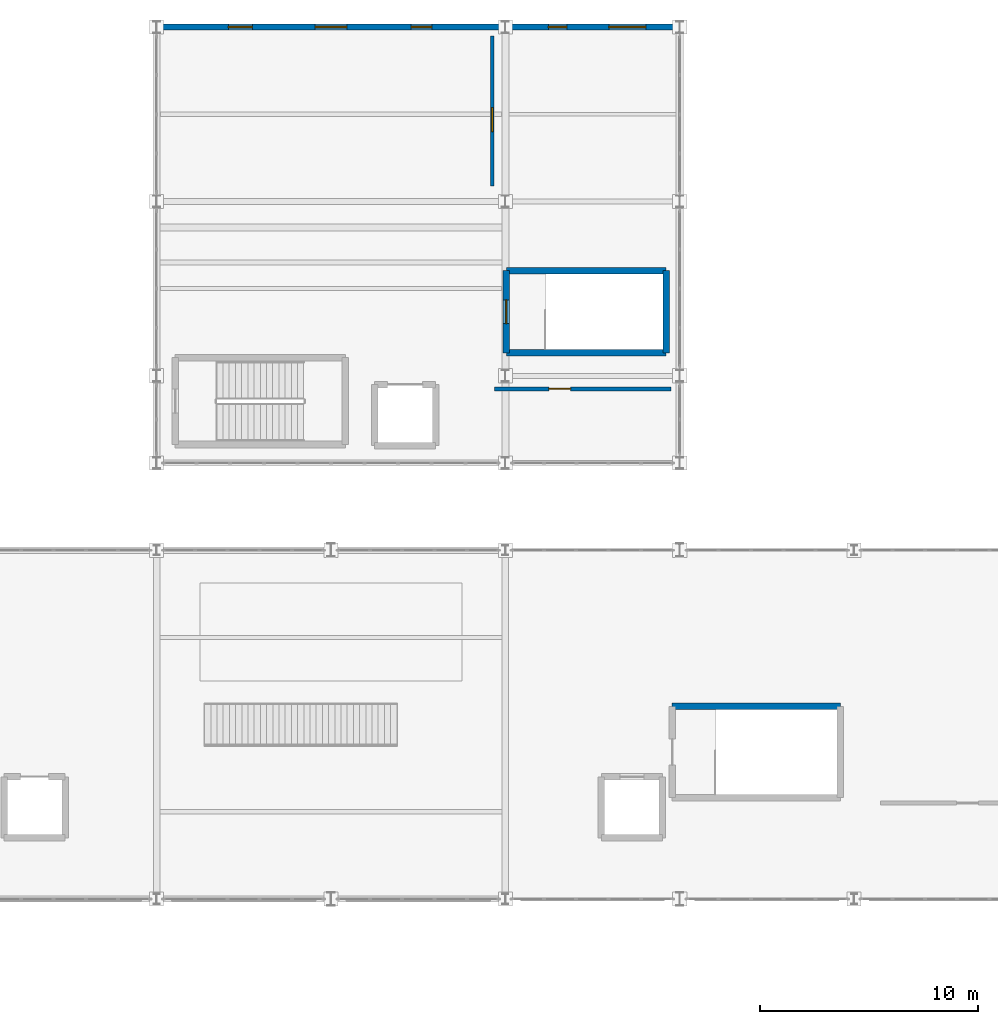
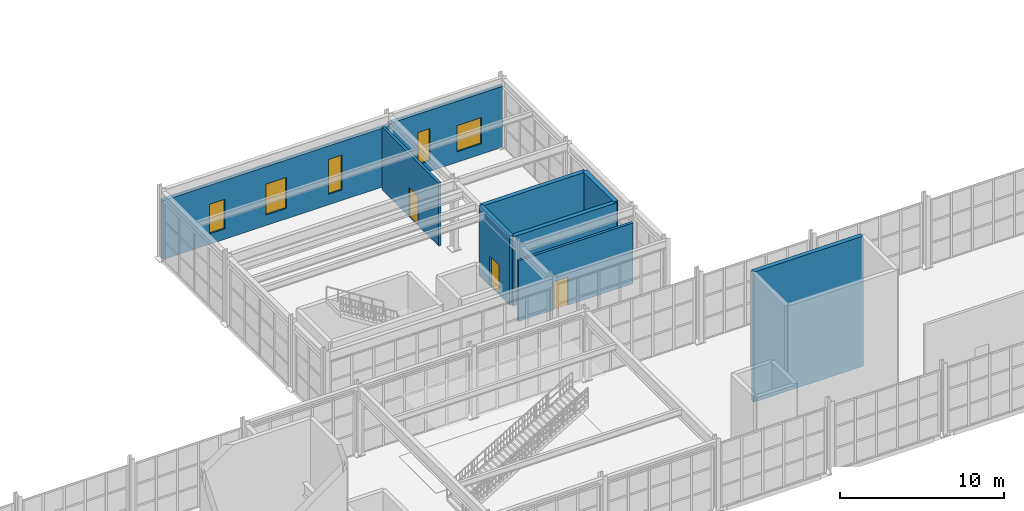
# One storey, part 69 of 82: 9 walls, 5 windows, 3 doors, 8 openings.
"""IFC4 building model written with IfcOpenShell, lengths in metres."""

from ifc_helpers import new_model, si_unit, direction, frame, frame_2d, origin, place, context, subcontext, project, spatial, rectangle, extrude, material, layer, layer_set, type_object, element, fill, save


model = new_model("IFC4")

# Units and contexts
model_context = context("Model", 3, precision=1e-05, world=origin(), true_north=direction((0.0, 1.0)))
body_context = subcontext(model_context, "Body", "Model", "MODEL_VIEW")
ifc_project = project(units=[si_unit("LENGTHUNIT", "METRE"), si_unit("AREAUNIT", "SQUARE_METRE"), si_unit("VOLUMEUNIT", "CUBIC_METRE"), si_unit("PLANEANGLEUNIT", "RADIAN"), si_unit("MASSUNIT", "GRAM", prefix="KILO")], contexts=[model_context])

# Site, building, storey
site_placement = place(None, origin())
site = spatial("IfcSite", under=ifc_project, at=site_placement, CompositionType="ELEMENT")
building_placement = place(site_placement, origin())
building = spatial("IfcBuilding", under=site, at=building_placement, Name="Serraluz Foothill Cableway Terminal", CompositionType="ELEMENT")
storey_placement = place(building_placement, frame((0.0, 0.0, 9.60009765625)))
storey = spatial("IfcBuildingStorey", under=building, at=storey_placement, Name="L02", CompositionType="ELEMENT", Elevation=9.60009765625)

# Wall, openings, windows
ifc_material_1 = material(Name="Fired clay masonry brick (f'm 12 MPa)", Category="masonry")
ifc_layer_1 = layer(ifc_material_1, 0.280029296875, Name="Fired clay masonry brick (f'm 12 MPa)", Category="masonry")
ifc_layer_set_1 = layer_set([ifc_layer_1], Name="Fired clay masonry brick (f'm 12 MPa)")
wall_type_1 = type_object("IfcWallType", Name="TYP-WL-EXT-280", PredefinedType="STANDARD", material=ifc_layer_set_1)
wall_1_placement = place(storey_placement, frame((80.006103515625, 96.0, 0.0), z_axis=(0.0, 0.0, 1.0), x_axis=(1.0, 0.0, 0.0)))
wall_1 = element("IfcWall", 1, at=wall_1_placement, inside=storey, type_object=wall_type_1, Name="Exterior Masonry Wall EW-V4N-L02-1", PredefinedType="STANDARD", context=body_context, shape_type="SweptSolid", body=[
    extrude(rectangle(XDim=15.98779296875, YDim=0.280029296875, at=frame_2d((7.993896484375, 0.0))), origin(), (0.0, 0.0, 1.0), 4.389892578125),
])
opening_1_placement = place(wall_1_placement, frame((3.287109375, 0.0, 0.780029296875)))
opening_1 = element("IfcOpeningElement", 2, at=opening_1_placement, cuts=wall_1, Name="Opening W-04", PredefinedType="OPENING", context=body_context, shape_type="SweptSolid", body=[
    extrude(rectangle(XDim=1.10009765625, YDim=2.199951171875, at=frame_2d((0.550048828125, 1.10009765625))), frame((0.0, 0.14990234375, 0.0), z_axis=(0.0, -1.0, 0.0), x_axis=(1.0, 0.0, 0.0)), (0.0, 0.0, 1.0), 0.300048828125),
])
opening_2_placement = place(wall_1_placement, frame((7.26904296875, 0.0, 0.780029296875)))
opening_2 = element("IfcOpeningElement", 3, at=opening_2_placement, cuts=wall_1, Name="Opening W-26", PredefinedType="OPENING", context=body_context, shape_type="SweptSolid", body=[
    extrude(rectangle(XDim=1.449951171875, YDim=2.300048828125, at=frame_2d((0.72509765625, 1.14990234375))), frame((0.0, 0.14990234375, 0.0), z_axis=(0.0, -1.0, 0.0), x_axis=(1.0, 0.0, 0.0)), (0.0, 0.0, 1.0), 0.300048828125),
])
opening_3_placement = place(wall_1_placement, frame((11.67578125, 0.0, 0.780029296875)))
opening_3 = element("IfcOpeningElement", 4, at=opening_3_placement, cuts=wall_1, Name="Opening W-03", PredefinedType="OPENING", context=body_context, shape_type="SweptSolid", body=[
    extrude(rectangle(XDim=0.949951171875, YDim=2.60009765625, at=frame_2d((0.47509765625, 1.300048828125))), frame((0.0, 0.14990234375, 0.0), z_axis=(0.0, -1.0, 0.0), x_axis=(1.0, 0.0, 0.0)), (0.0, 0.0, 1.0), 0.300048828125),
])
ifc_material_2 = material(Name="Laminated low-E safety glass", Category="glass")
window_type_1 = type_object("IfcWindowType", Name="TYP-WN-095X260", PartitioningType="SINGLE_PANEL", PredefinedType="WINDOW", material=ifc_material_2)
window_1_placement = place(opening_3_placement, origin())
window_1 = element("IfcWindow", 5, at=window_1_placement, inside=storey, type_object=window_type_1, Name="Exterior Window EW-V4N-L02-1-WN3", OverallHeight=2.60009765625, OverallWidth=0.949951171875, PartitioningType="SINGLE_PANEL", PredefinedType="WINDOW", context=body_context, shape_type="SweptSolid", body=[
    extrude(rectangle(XDim=0.949951171875, YDim=2.60009765625, at=frame_2d((0.47509765625, 1.300048828125))), frame((0.0, 0.030029296875, 0.0), z_axis=(0.0, -1.0, 0.0), x_axis=(1.0, 0.0, 0.0)), (0.0, 0.0, 1.0), 0.06005859375),
])
fill(opening_3, window_1)
window_type_2 = type_object("IfcWindowType", Name="TYP-WN-110X220", PartitioningType="SINGLE_PANEL", PredefinedType="WINDOW", material=ifc_material_2)
window_2_placement = place(opening_1_placement, origin())
window_2 = element("IfcWindow", 6, at=window_2_placement, inside=storey, type_object=window_type_2, Name="Exterior Window EW-V4N-L02-1-WN1", OverallHeight=2.199951171875, OverallWidth=1.10009765625, PartitioningType="SINGLE_PANEL", PredefinedType="WINDOW", context=body_context, shape_type="SweptSolid", body=[
    extrude(rectangle(XDim=1.10009765625, YDim=2.199951171875, at=frame_2d((0.550048828125, 1.10009765625))), frame((0.0, 0.030029296875, 0.0), z_axis=(0.0, -1.0, 0.0), x_axis=(1.0, 0.0, 0.0)), (0.0, 0.0, 1.0), 0.06005859375),
])
fill(opening_1, window_2)
window_type_3 = type_object("IfcWindowType", Name="TYP-WN-145X230", PartitioningType="DOUBLE_PANEL_VERTICAL", PredefinedType="WINDOW", material=ifc_material_2)
window_3_placement = place(opening_2_placement, origin())
window_3 = element("IfcWindow", 7, at=window_3_placement, inside=storey, type_object=window_type_3, Name="Exterior Window EW-V4N-L02-1-WN2", OverallHeight=2.300048828125, OverallWidth=1.449951171875, PartitioningType="SINGLE_PANEL", PredefinedType="WINDOW", context=body_context, shape_type="SweptSolid", body=[
    extrude(rectangle(XDim=1.449951171875, YDim=2.300048828125, at=frame_2d((0.72509765625, 1.14990234375))), frame((0.0, 0.030029296875, 0.0), z_axis=(0.0, -1.0, 0.0), x_axis=(1.0, 0.0, 0.0)), (0.0, 0.0, 1.0), 0.06005859375),
])
fill(opening_2, window_3)

wall_2_placement = place(storey_placement, frame((96.006103515625, 96.0, 0.0), z_axis=(0.0, 0.0, 1.0), x_axis=(1.0, 0.0, 0.0)))
wall_2 = element("IfcWall", 8, at=wall_2_placement, inside=storey, type_object=wall_type_1, Name="Exterior Masonry Wall EW-V4N-L02-2", PredefinedType="STANDARD", context=body_context, shape_type="SweptSolid", body=[
    extrude(rectangle(XDim=7.98779296875, YDim=0.280029296875, at=frame_2d((3.993896484375, 0.0))), origin(), (0.0, 0.0, 1.0), 4.5478515625),
])
opening_4_placement = place(wall_2_placement, frame((1.971435546875, 0.0, 0.780029296875)))
opening_4 = element("IfcOpeningElement", 9, at=opening_4_placement, cuts=wall_2, Name="Opening W-02", PredefinedType="OPENING", context=body_context, shape_type="SweptSolid", body=[
    extrude(rectangle(XDim=0.85009765625, YDim=2.39990234375, at=frame_2d((0.425048828125, 1.199951171875))), frame((0.0, 0.14990234375, 0.0), z_axis=(0.0, -1.0, 0.0), x_axis=(1.0, 0.0, 0.0)), (0.0, 0.0, 1.0), 0.300048828125),
])
opening_5_placement = place(wall_2_placement, frame((4.74169921875, 0.0, 0.780029296875)))
opening_5 = element("IfcOpeningElement", 10, at=opening_5_placement, cuts=wall_2, Name="Opening W-27", PredefinedType="OPENING", context=body_context, shape_type="SweptSolid", body=[
    extrude(rectangle(XDim=1.699951171875, YDim=1.949951171875, at=frame_2d((0.85009765625, 0.97509765625))), frame((0.0, 0.14990234375, 0.0), z_axis=(0.0, -1.0, 0.0), x_axis=(1.0, 0.0, 0.0)), (0.0, 0.0, 1.0), 0.300048828125),
])
window_type_4 = type_object("IfcWindowType", Name="TYP-WN-085X240", PartitioningType="SINGLE_PANEL", PredefinedType="WINDOW", material=ifc_material_2)
window_4_placement = place(opening_4_placement, origin())
window_4 = element("IfcWindow", 11, at=window_4_placement, inside=storey, type_object=window_type_4, Name="Exterior Window EW-V4N-L02-2-WN1", OverallHeight=2.39990234375, OverallWidth=0.85009765625, PartitioningType="SINGLE_PANEL", PredefinedType="WINDOW", context=body_context, shape_type="SweptSolid", body=[
    extrude(rectangle(XDim=0.85009765625, YDim=2.39990234375, at=frame_2d((0.425048828125, 1.199951171875))), frame((0.0, 0.030029296875, 0.0), z_axis=(0.0, -1.0, 0.0), x_axis=(1.0, 0.0, 0.0)), (0.0, 0.0, 1.0), 0.06005859375),
])
fill(opening_4, window_4)
window_type_5 = type_object("IfcWindowType", Name="TYP-WN-170X195", PartitioningType="DOUBLE_PANEL_VERTICAL", PredefinedType="WINDOW", material=ifc_material_2)
window_5_placement = place(opening_5_placement, origin())
window_5 = element("IfcWindow", 12, at=window_5_placement, inside=storey, type_object=window_type_5, Name="Exterior Window EW-V4N-L02-2-WN2", OverallHeight=1.949951171875, OverallWidth=1.699951171875, PartitioningType="SINGLE_PANEL", PredefinedType="WINDOW", context=body_context, shape_type="SweptSolid", body=[
    extrude(rectangle(XDim=1.699951171875, YDim=1.949951171875, at=frame_2d((0.85009765625, 0.97509765625))), frame((0.0, 0.030029296875, 0.0), z_axis=(0.0, -1.0, 0.0), x_axis=(1.0, 0.0, 0.0)), (0.0, 0.0, 1.0), 0.06005859375),
])
fill(opening_5, window_5)

# Wall, opening, door
ifc_layer_2 = layer(ifc_material_1, 0.179931640625, Name="Fired clay masonry brick (f'm 12 MPa)", Category="masonry")
ifc_layer_set_2 = layer_set([ifc_layer_2], Name="Fired clay masonry brick (f'm 12 MPa)")
wall_type_2 = type_object("IfcWallType", Name="TYP-WL-PRT-180", PredefinedType="PARTITIONING", material=ifc_layer_set_2)
wall_3_placement = place(storey_placement, frame((95.39990234375, 88.699951171875, 0.0), z_axis=(0.0, 0.0, 1.0), x_axis=(0.0, 1.0, 0.0)))
wall_3 = element("IfcWall", 13, at=wall_3_placement, inside=storey, type_object=wall_type_2, Name="Interior Partition PT-L02-13W", PredefinedType="PARTITIONING", context=body_context, shape_type="SweptSolid", body=[
    extrude(rectangle(XDim=6.900146484375, YDim=0.179931640625, at=frame_2d((3.4501953125, 0.0))), origin(), (0.0, 0.0, 1.0), 4.684814453125),
])
opening_6_placement = place(wall_3_placement, frame((2.5, 0.0, 0.0)))
opening_6 = element("IfcOpeningElement", 14, at=opening_6_placement, cuts=wall_3, Name="Opening DF-03", PredefinedType="OPENING", context=body_context, shape_type="SweptSolid", body=[
    extrude(rectangle(XDim=1.10009765625, YDim=2.199951171875, at=frame_2d((0.550048828125, 1.10009765625))), frame((0.0, 0.10009765625, 0.0), z_axis=(0.0, -1.0, 0.0), x_axis=(1.0, 0.0, 0.0)), (0.0, 0.0, 1.0), 0.199951171875),
])
ifc_material_3 = material(Name="Galvanized hollow-metal steel sheet", Category="steel")
door_type_1 = type_object("IfcDoorType", Name="TYP-DR-FD30-1100", OperationType="NOTDEFINED", PredefinedType="DOOR", material=ifc_material_3)
door_1_placement = place(opening_6_placement, origin())
door_1 = element("IfcDoor", 15, at=door_1_placement, inside=storey, type_object=door_type_1, Name="Interior Door PT-L02-13W-DR1", OperationType="SINGLE_SWING_RIGHT", OverallHeight=2.199951171875, OverallWidth=1.10009765625, PredefinedType="DOOR", context=body_context, shape_type="SweptSolid", body=[
    extrude(rectangle(XDim=1.10009765625, YDim=2.199951171875, at=frame_2d((0.550048828125, 1.10009765625))), frame((0.0, 0.02490234375, 0.0), z_axis=(0.0, -1.0, 0.0), x_axis=(1.0, 0.0, 0.0)), (0.0, 0.0, 1.0), 0.050048828125),
])
fill(opening_6, door_1)

wall_4_placement = place(storey_placement, frame((95.5, 79.39990234375, 0.0), z_axis=(0.0, 0.0, 1.0), x_axis=(1.0, 0.0, 0.0)))
wall_4 = element("IfcWall", 16, at=wall_4_placement, inside=storey, type_object=wall_type_2, Name="Interior Partition PT-L02-14N", PredefinedType="PARTITIONING", context=body_context, shape_type="SweptSolid", body=[
    extrude(rectangle(XDim=8.10009765625, YDim=0.179931640625, at=frame_2d((4.050048828125, 0.0))), origin(), (0.0, 0.0, 1.0), 4.52587890625),
])
opening_7_placement = place(wall_4_placement, frame((2.5, 0.0, 0.0)))
opening_7 = element("IfcOpeningElement", 17, at=opening_7_placement, cuts=wall_4, Name="Opening DI-04", PredefinedType="OPENING", context=body_context, shape_type="SweptSolid", body=[
    extrude(rectangle(XDim=1.0, YDim=2.10009765625, at=frame_2d((0.5, 1.050048828125))), frame((0.0, 0.10009765625, 0.0), z_axis=(0.0, -1.0, 0.0), x_axis=(1.0, 0.0, 0.0)), (0.0, 0.0, 1.0), 0.199951171875),
])
ifc_material_4 = material(Name="Kiln-dried Andean oak hardwood", Category="wood")
door_type_2 = type_object("IfcDoorType", Name="TYP-DR-ACC-1000", OperationType="NOTDEFINED", PredefinedType="DOOR", material=ifc_material_4)
door_2_placement = place(opening_7_placement, origin())
door_2 = element("IfcDoor", 18, at=door_2_placement, inside=storey, type_object=door_type_2, Name="Interior Door PT-L02-14N-DR1", OperationType="SINGLE_SWING_LEFT", OverallHeight=2.10009765625, OverallWidth=1.0, PredefinedType="DOOR", context=body_context, shape_type="SweptSolid", body=[
    extrude(rectangle(XDim=1.0, YDim=2.10009765625, at=frame_2d((0.5, 1.050048828125))), frame((0.0, 0.02490234375, 0.0), z_axis=(0.0, -1.0, 0.0), x_axis=(1.0, 0.0, 0.0)), (0.0, 0.0, 1.0), 0.050048828125),
])
fill(opening_7, door_2)

# Walls
ifc_material_5 = material(Name="Concrete C35/45 (f'c 35 MPa)", Category="concrete")
ifc_layer_3 = layer(ifc_material_5, 0.300048828125, Name="Concrete C35/45 (f'c 35 MPa)", Category="concrete")
ifc_layer_set_3 = layer_set([ifc_layer_3], Name="Concrete C35/45 (f'c 35 MPa)")
wall_type_3 = type_object("IfcWallType", Name="TYP-WL-SHR-350", PredefinedType="SHEAR", material=ifc_layer_set_3)
wall_5_placement = place(storey_placement, frame((103.64990234375, 64.830078125, 0.0), z_axis=(0.0, 0.0, 1.0), x_axis=(1.0, 0.0, 0.0)))
element("IfcWall", 19, at=wall_5_placement, inside=storey, type_object=wall_type_3, Name="Stair Core Shear Wall CW-ST-04-L02-N", PredefinedType="SHEAR", context=body_context, shape_type="SweptSolid", body=[
    extrude(rectangle(XDim=7.72509765625, YDim=0.300048828125, at=frame_2d((3.862548828125, 0.0))), origin(), (0.0, 0.0, 1.0), 9.699951171875),
])
wall_6_placement = place(storey_placement, frame((103.375, 81.050048828125, 0.0), z_axis=(0.0, 0.0, 1.0), x_axis=(-1.0, 0.0, 0.0)))
element("IfcWall", 20, at=wall_6_placement, inside=storey, type_object=wall_type_3, Name="Stair Core Shear Wall CW-ST-09-L02-S", PredefinedType="SHEAR", context=body_context, shape_type="SweptSolid", body=[
    extrude(rectangle(XDim=7.324951171875, YDim=0.300048828125, at=frame_2d((3.66259765625, 0.0))), origin(), (0.0, 0.0, 1.0), 5.14990234375),
])

# Wall, opening, door
wall_7_placement = place(storey_placement, frame((96.050048828125, 81.050048828125, 0.0), z_axis=(0.0, 0.0, 1.0), x_axis=(0.0, 1.0, 0.0)))
wall_7 = element("IfcWall", 21, at=wall_7_placement, inside=storey, type_object=wall_type_3, Name="Stair Core Shear Wall CW-ST-09-L02-W", PredefinedType="SHEAR", context=body_context, shape_type="SweptSolid", body=[
    extrude(rectangle(XDim=3.780029296875, YDim=0.300048828125, at=frame_2d((1.89013671875, 0.0))), origin(), (0.0, 0.0, 1.0), 5.14990234375),
])
opening_8_placement = place(wall_7_placement, frame((1.340087890625, 0.0, 0.0)))
opening_8 = element("IfcOpeningElement", 22, at=opening_8_placement, cuts=wall_7, Name="Opening DF-07", PredefinedType="OPENING", context=body_context, shape_type="SweptSolid", body=[
    extrude(rectangle(XDim=1.10009765625, YDim=2.199951171875, at=frame_2d((0.550048828125, 1.10009765625))), frame((0.0, 0.16015625, 0.0), z_axis=(0.0, -1.0, 0.0), x_axis=(1.0, 0.0, 0.0)), (0.0, 0.0, 1.0), 0.320068359375),
])
door_type_3 = type_object("IfcDoorType", Name="TYP-DR-FD60-1100", OperationType="NOTDEFINED", PredefinedType="DOOR", material=ifc_material_3)
door_3_placement = place(opening_8_placement, origin())
door_3 = element("IfcDoor", 23, at=door_3_placement, inside=storey, type_object=door_type_3, Name="Exit Stair Fire Door ST-09 L02", OperationType="SINGLE_SWING_LEFT", OverallHeight=2.199951171875, OverallWidth=1.10009765625, PredefinedType="DOOR", context=body_context, shape_type="SweptSolid", body=[
    extrude(rectangle(XDim=1.10009765625, YDim=2.199951171875, at=frame_2d((0.550048828125, 1.10009765625))), frame((0.0, 0.02490234375, 0.0), z_axis=(0.0, -1.0, 0.0), x_axis=(1.0, 0.0, 0.0)), (0.0, 0.0, 1.0), 0.050048828125),
])
fill(opening_8, door_3)

# Walls
wall_8_placement = place(storey_placement, frame((96.050048828125, 84.830078125, 0.0), z_axis=(0.0, 0.0, 1.0), x_axis=(1.0, 0.0, 0.0)))
element("IfcWall", 24, at=wall_8_placement, inside=storey, type_object=wall_type_3, Name="Stair Core Shear Wall CW-ST-09-L02-N", PredefinedType="SHEAR", context=body_context, shape_type="SweptSolid", body=[
    extrude(rectangle(XDim=7.324951171875, YDim=0.300048828125, at=frame_2d((3.66259765625, 0.0))), origin(), (0.0, 0.0, 1.0), 5.14990234375),
])
wall_9_placement = place(storey_placement, frame((103.375, 84.830078125, 0.0), z_axis=(0.0, 0.0, 1.0), x_axis=(0.0, -1.0, 0.0)))
element("IfcWall", 25, at=wall_9_placement, inside=storey, type_object=wall_type_3, Name="Stair Core Shear Wall CW-ST-09-L02-E", PredefinedType="SHEAR", context=body_context, shape_type="SweptSolid", body=[
    extrude(rectangle(XDim=3.780029296875, YDim=0.300048828125, at=frame_2d((1.89013671875, 0.0))), origin(), (0.0, 0.0, 1.0), 5.14990234375),
])

save(model, "model.ifc")
